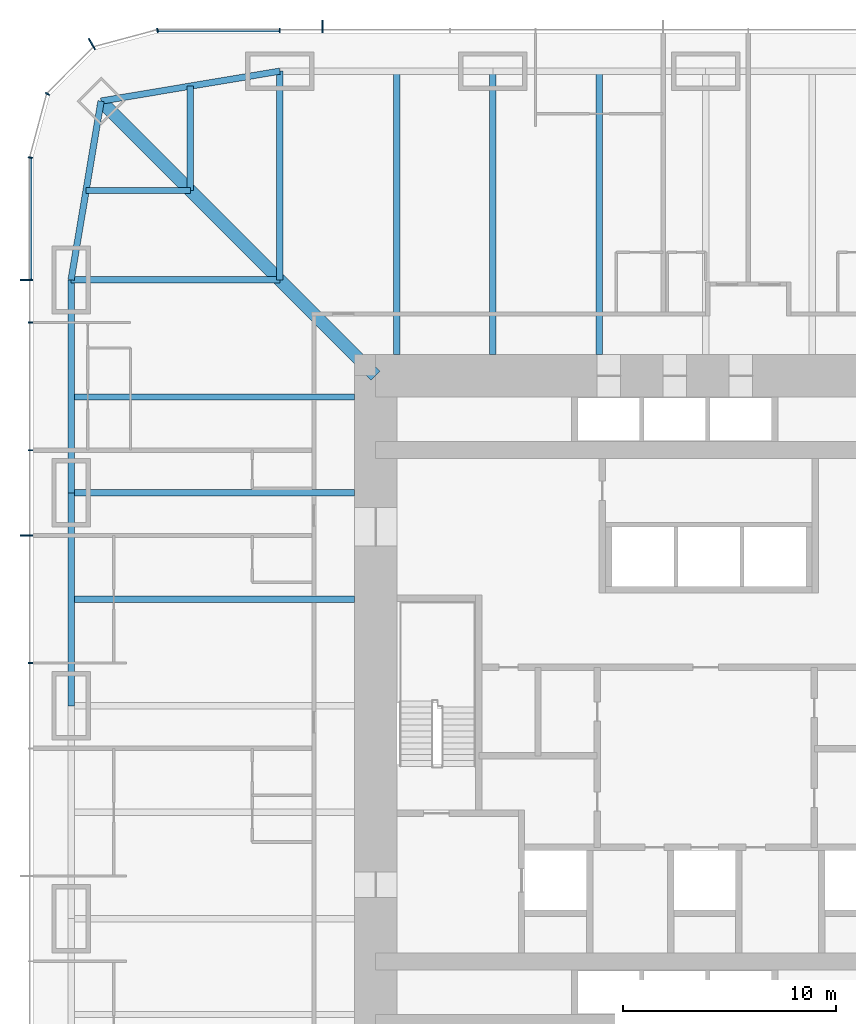
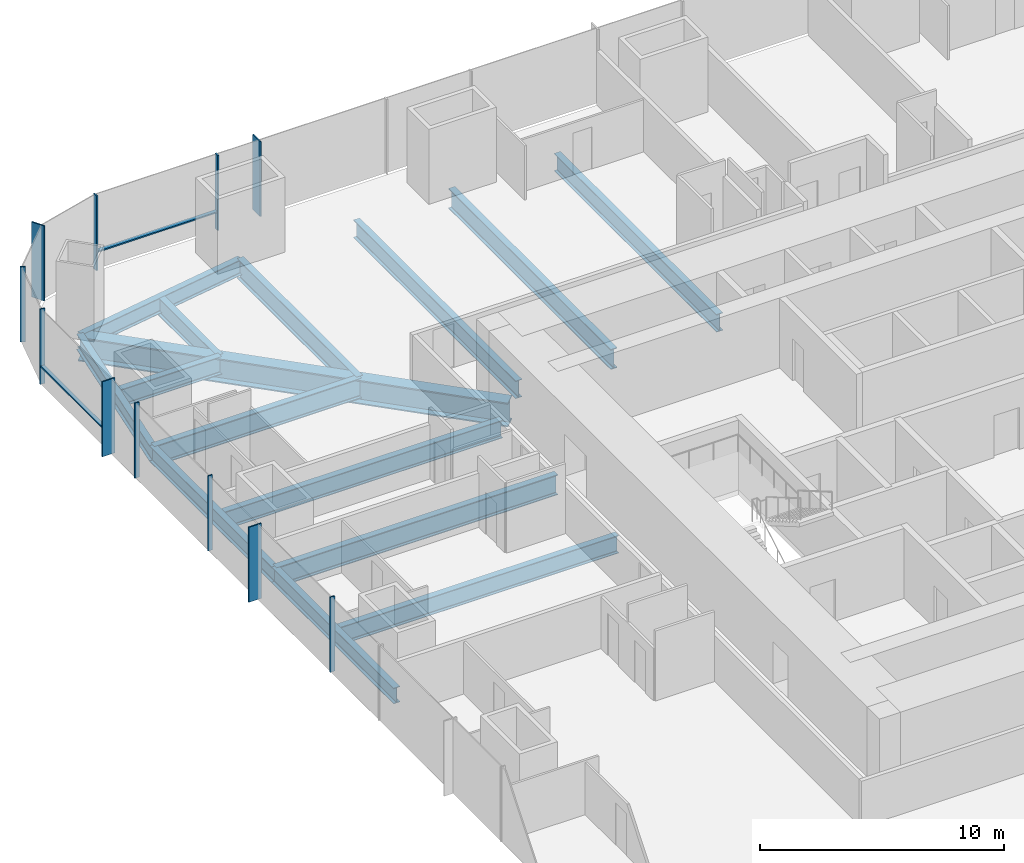
# One storey, part 6 of 17: 15 beams, 13 members, 3 elements without a shape of their own.
"""IFC4 building model written with IfcOpenShell, lengths in metres."""

from ifc_helpers import new_model, si_unit, direction, frame, origin, origin_2d, place, context, subcontext, project, spatial, rectangle, i_section, extrude, material, material_profile, profile_set, type_object, element, aggregate, save


model = new_model("IFC4")

# Units and contexts
model_context = context("Model", 3, precision=1e-05, world=origin(), true_north=direction((0.0, 1.0)))
body_context = subcontext(model_context, "Body", "Model", "MODEL_VIEW")
ifc_project = project(units=[si_unit("LENGTHUNIT", "METRE"), si_unit("AREAUNIT", "SQUARE_METRE"), si_unit("VOLUMEUNIT", "CUBIC_METRE"), si_unit("PLANEANGLEUNIT", "RADIAN"), si_unit("MASSUNIT", "GRAM", prefix="KILO")], contexts=[model_context])

# Site, building, storey
site_placement = place(None, origin())
site = spatial("IfcSite", under=ifc_project, at=site_placement, CompositionType="ELEMENT")
building_placement = place(site_placement, origin())
building = spatial("IfcBuilding", under=site, at=building_placement, Name="Khuree Lantern Residences", CompositionType="ELEMENT")
storey_placement = place(building_placement, frame((0.0, 0.0, 43.5)))
storey = spatial("IfcBuildingStorey", under=building, at=storey_placement, Name="L10", CompositionType="ELEMENT", Elevation=43.5)

# Beams
ifc_material_1 = material(Name="Steel S355", Category="steel")
ifc_material_profile_1 = material_profile(ifc_material_1, i_section(OverallWidth=0.300048828125, OverallDepth=0.889892578125, WebThickness=0.01611328125, FlangeThickness=0.030029296875, FilletRadius=0.030029296875, at=origin_2d()), Name="HE 900 A")
ifc_profile_set_1 = profile_set([ifc_material_profile_1], Name="Steel S355")
beam_type_1 = type_object("IfcBeamType", Name="B-12 SECONDARY BEAM HE 900 A", PredefinedType="BEAM", material=ifc_profile_set_1)
for number, where, z_axis, x_axis, name in (
    (1, (-14.5, 29.800048828125, -0.695068359375), (0.0, -1.0, 0.0), (1.0, 0.0, 0.0), "Secondary beam N1"),
    (2, (-5.0, 29.800048828125, -0.695068359375), (0.0, -1.0, 0.0), (1.0, 0.0, 0.0), "Secondary beam N2"),
    (3, (-29.800048828125, 5.0, -0.695068359375), (1.0, 0.0, 0.0), (0.0, 1.0, 0.0), "Secondary beam W4"),
    (4, (-29.800048828125, 14.5, -0.695068359375), (1.0, 0.0, 0.0), (0.0, 1.0, 0.0), "Secondary beam W5"),
):
    element("IfcBeam", number, at=place(storey_placement, frame(where, z_axis=z_axis, x_axis=x_axis)), inside=storey, type_object=beam_type_1, Name=name, PredefinedType="BEAM", context=body_context, shape_type="SweptSolid", body=[
        extrude(i_section(OverallWidth=0.300048828125, OverallDepth=0.889892578125, WebThickness=0.01611328125, FlangeThickness=0.030029296875, FilletRadius=0.030029296875, at=origin_2d()), origin(), (0.0, 0.0, 1.0), 13.300048828125),
    ])
for number, where, z_axis, x_axis, name in (
    (5, (-29.09716796875, 24.197021484375, -0.695068359375), (1.0, 0.0, 0.0), (0.0, 1.0, 0.0), "Secondary beam W6"),
    (6, (-24.197021484375, 29.09716796875, -0.695068359375), (0.0, -1.0, 0.0), (1.0, 0.0, 0.0), "Secondary beam N6"),
):
    element("IfcBeam", number, at=place(storey_placement, frame(where, z_axis=z_axis, x_axis=x_axis)), inside=storey, type_object=beam_type_1, Name=name, PredefinedType="BEAM", context=body_context, shape_type="SweptSolid", body=[
        extrude(i_section(OverallWidth=0.300048828125, OverallDepth=0.889892578125, WebThickness=0.01611328125, FlangeThickness=0.030029296875, FilletRadius=0.030029296875, at=origin_2d()), origin(), (0.0, 0.0, 1.0), 4.900146484375),
    ])
ifc_material_profile_2 = material_profile(ifc_material_1, i_section(OverallWidth=0.300048828125, OverallDepth=0.7900390625, WebThickness=0.014892578125, FlangeThickness=0.028076171875, FilletRadius=0.030029296875, at=origin_2d()), Name="HE 800 A")
ifc_profile_set_2 = profile_set([ifc_material_profile_2], Name="Steel S355")
beam_type_2 = type_object("IfcBeamType", Name="E-12 SPANDREL BEAM HE 800 A", PredefinedType="SPANDREL", material=ifc_profile_set_2)
for number, where, z_axis, x_axis, name in (
    (7, (-29.800048828125, 0.0, -0.64501953125), (0.0, 1.0, 0.0), (-1.0, 0.0, 0.0), "Spandrel beam W4"),
    (8, (-29.800048828125, 10.0, -0.64501953125), (0.0, 1.0, 0.0), (-1.0, 0.0, 0.0), "Spandrel beam W5"),
):
    element("IfcBeam", number, at=place(storey_placement, frame(where, z_axis=z_axis, x_axis=x_axis)), inside=storey, type_object=beam_type_2, Name=name, PredefinedType="SPANDREL", context=body_context, shape_type="SweptSolid", body=[
        extrude(i_section(OverallWidth=0.300048828125, OverallDepth=0.7900390625, WebThickness=0.014892578125, FlangeThickness=0.028076171875, FilletRadius=0.030029296875, at=origin_2d()), origin(), (0.0, 0.0, 1.0), 10.0),
    ])
for number, where, z_axis, x_axis, name in (
    (9, (-29.800048828125, 20.0, -0.64501953125), (0.165199022349, 0.986260251158, 0.0), (-0.986260251158, 0.165199022349, 0.0), "Spandrel beam W6"),
    (10, (-28.39404296875, 28.39404296875, -0.64501953125), (0.986260251158, 0.165199022349, 0.0), (-0.165199022349, 0.986260251158, 0.0), "Spandrel beam N6"),
):
    element("IfcBeam", number, at=place(storey_placement, frame(where, z_axis=z_axis, x_axis=x_axis)), inside=storey, type_object=beam_type_2, Name=name, PredefinedType="SPANDREL", context=body_context, shape_type="SweptSolid", body=[
        extrude(i_section(OverallWidth=0.300048828125, OverallDepth=0.7900390625, WebThickness=0.014892578125, FlangeThickness=0.028076171875, FilletRadius=0.030029296875, at=origin_2d()), origin(), (0.0, 0.0, 1.0), 8.510986328125),
    ])

# Curtain wall, member
ifc_material_2 = material(Name="Bronze anodised aluminium", Category="aluminium")
curtain_wall_type_1 = type_object("IfcCurtainWallType", Name="CW-T1 TOWER FACE CURTAIN WALL", PredefinedType="USERDEFINED", material=ifc_material_2)
curtain_wall_1_placement = place(storey_placement, origin())
curtain_wall_1 = element("IfcCurtainWall", 11, at=curtain_wall_1_placement, inside=storey, type_object=curtain_wall_type_1, Name="L10 NORTH FACE CURTAIN WALL", ObjectType="Stick-built curtain wall", PredefinedType="USERDEFINED")
ifc_material_profile_3 = material_profile(ifc_material_2, rectangle(XDim=0.06494140625, YDim=0.60009765625, at=origin_2d()), Name="F1 65X600")
ifc_profile_set_3 = profile_set([ifc_material_profile_3], Name="Bronze anodised aluminium")
member_type_1 = type_object("IfcMemberType", Name="F1 BRONZE FIN MULLION TOWER 65X600", PredefinedType="MULLION", material=ifc_profile_set_3)
member_1_placement = place(storey_placement, frame((-18.0, 31.89990234375, 0.0), z_axis=(0.0, 0.0, 1.0), x_axis=(-1.0, 0.0, 0.0)))
member_1 = element("IfcMember", 12, at=member_1_placement, type_object=member_type_1, Name="L10 NORTH FACE FIN MULLION 27", PredefinedType="MULLION", context=body_context, shape_type="SweptSolid", body=[
    extrude(rectangle(XDim=0.06494140625, YDim=0.60009765625, at=origin_2d()), origin(), (0.0, 0.0, 1.0), 3.75),
])

curtain_wall_type_2 = type_object("IfcCurtainWallType", Name="CW-T2 TOWER CORNER CURTAIN WALL", PredefinedType="USERDEFINED", material=ifc_material_2)
curtain_wall_2_placement = place(storey_placement, origin())
curtain_wall_2 = element("IfcCurtainWall", 13, at=curtain_wall_2_placement, inside=storey, type_object=curtain_wall_type_2, Name="L10 NORTH-WEST CORNER CURTAIN WALL", ObjectType="Faceted corner curtain wall", PredefinedType="USERDEFINED")
member_2_placement = place(storey_placement, frame((-28.824951171875, 31.076171875, 0.0), z_axis=(0.0, 0.0, 1.0), x_axis=(-0.86602537092, -0.500000056923, 0.0)))
member_2 = element("IfcMember", 14, at=member_2_placement, type_object=member_type_1, Name="L10 NORTH-WEST CORNER FIN MULLION 30", PredefinedType="MULLION", context=body_context, shape_type="SweptSolid", body=[
    extrude(rectangle(XDim=0.06494140625, YDim=0.60009765625, at=origin_2d()), origin(), (0.0, 0.0, 1.0), 3.75),
])

# Curtain wall, members
curtain_wall_3_placement = place(storey_placement, origin())
curtain_wall_3 = element("IfcCurtainWall", 15, at=curtain_wall_3_placement, inside=storey, type_object=curtain_wall_type_1, Name="L10 WEST FACE CURTAIN WALL", ObjectType="Stick-built curtain wall", PredefinedType="USERDEFINED")
member_3_placement = place(storey_placement, frame((-31.89990234375, 20.0, 0.0), z_axis=(0.0, 0.0, 1.0), x_axis=(0.0, -1.0, 0.0)))
member_3 = element("IfcMember", 16, at=member_3_placement, type_object=member_type_1, Name="L10 WEST FACE FIN MULLION 33", PredefinedType="MULLION", context=body_context, shape_type="SweptSolid", body=[
    extrude(rectangle(XDim=0.06494140625, YDim=0.60009765625, at=origin_2d()), origin(), (0.0, 0.0, 1.0), 3.75),
])
member_4_placement = place(storey_placement, frame((-31.89990234375, 8.0, 0.0), z_axis=(0.0, 0.0, 1.0), x_axis=(0.0, -1.0, 0.0)))
member_4 = element("IfcMember", 17, at=member_4_placement, type_object=member_type_1, Name="L10 WEST FACE FIN MULLION 36", PredefinedType="MULLION", context=body_context, shape_type="SweptSolid", body=[
    extrude(rectangle(XDim=0.06494140625, YDim=0.60009765625, at=origin_2d()), origin(), (0.0, 0.0, 1.0), 3.75),
])

# Beams
ifc_material_profile_4 = material_profile(ifc_material_1, i_section(OverallWidth=0.302001953125, OverallDepth=1.008056640625, WebThickness=0.02099609375, FlangeThickness=0.0400390625, FilletRadius=0.030029296875, at=origin_2d()), Name="HE 1000 M")
ifc_profile_set_4 = profile_set([ifc_material_profile_4], Name="Steel S355")
beam_type_3 = type_object("IfcBeamType", Name="G-12 GIRDER HE 1000 M", PredefinedType="BEAM", material=ifc_profile_set_4)
beam_1_placement = place(storey_placement, frame((-20.0, 29.800048828125, -0.75390625), z_axis=(0.0, -1.0, 0.0), x_axis=(1.0, 0.0, 0.0)))
element("IfcBeam", 18, at=beam_1_placement, inside=storey, type_object=beam_type_3, Name="Girder N1", PredefinedType="BEAM", context=body_context, shape_type="SweptSolid", body=[
    extrude(i_section(OverallWidth=0.302001953125, OverallDepth=1.008056640625, WebThickness=0.02099609375, FlangeThickness=0.0400390625, FilletRadius=0.030029296875, at=origin_2d()), origin(), (0.0, 0.0, 1.0), 9.800048828125),
])
for number, where, z_axis, x_axis, name in (
    (19, (-10.0, 29.800048828125, -0.75390625), (0.0, -1.0, 0.0), (1.0, 0.0, 0.0), "Girder N2"),
    (20, (-29.800048828125, 10.0, -0.75390625), (1.0, 0.0, 0.0), (0.0, 1.0, 0.0), "Girder W4"),
):
    element("IfcBeam", number, at=place(storey_placement, frame(where, z_axis=z_axis, x_axis=x_axis)), inside=storey, type_object=beam_type_3, Name=name, PredefinedType="BEAM", context=body_context, shape_type="SweptSolid", body=[
        extrude(i_section(OverallWidth=0.302001953125, OverallDepth=1.008056640625, WebThickness=0.02099609375, FlangeThickness=0.0400390625, FilletRadius=0.030029296875, at=origin_2d()), origin(), (0.0, 0.0, 1.0), 13.300048828125),
    ])
beam_2_placement = place(storey_placement, frame((-29.800048828125, 20.0, -0.75390625), z_axis=(1.0, 0.0, 0.0), x_axis=(0.0, 1.0, 0.0)))
element("IfcBeam", 21, at=beam_2_placement, inside=storey, type_object=beam_type_3, Name="Girder W5", PredefinedType="BEAM", context=body_context, shape_type="SweptSolid", body=[
    extrude(i_section(OverallWidth=0.302001953125, OverallDepth=1.008056640625, WebThickness=0.02099609375, FlangeThickness=0.0400390625, FilletRadius=0.030029296875, at=origin_2d()), origin(), (0.0, 0.0, 1.0), 9.800048828125),
])
ifc_material_profile_5 = material_profile(ifc_material_1, i_section(OverallWidth=0.60009765625, OverallDepth=1.199951171875, WebThickness=0.030029296875, FlangeThickness=0.06005859375, at=origin_2d()), Name="WELDED I 1200X600X30X60")
ifc_profile_set_5 = profile_set([ifc_material_profile_5], Name="Steel S355")
beam_type_4 = type_object("IfcBeamType", Name="GD-12 CORNER GIRDER WELDED I 1200X600X30X60", PredefinedType="BEAM", material=ifc_profile_set_5)
beam_3_placement = place(storey_placement, frame((-28.39404296875, 28.39404296875, -0.85009765625), z_axis=(0.707106781187, -0.707106781187, 0.0), x_axis=(0.707106781187, 0.707106781187, 0.0)))
element("IfcBeam", 22, at=beam_3_placement, inside=storey, type_object=beam_type_4, Name="Corner girder NW", PredefinedType="BEAM", context=body_context, shape_type="SweptSolid", body=[
    extrude(i_section(OverallWidth=0.60009765625, OverallDepth=1.199951171875, WebThickness=0.030029296875, FlangeThickness=0.06005859375, at=origin_2d()), origin(), (0.0, 0.0, 1.0), 18.23486328125),
])

# Member
ifc_material_profile_6 = material_profile(ifc_material_2, rectangle(XDim=0.06494140625, YDim=0.219970703125, at=origin_2d()), Name="M1 65X220")
ifc_profile_set_6 = profile_set([ifc_material_profile_6], Name="Bronze anodised aluminium")
member_type_2 = type_object("IfcMemberType", Name="M1 BRONZE MULLION TOWER 65X220", PredefinedType="MULLION", material=ifc_profile_set_6)
member_5_placement = place(storey_placement, frame((-20.0, 31.7099609375, 0.0), z_axis=(0.0, 0.0, 1.0), x_axis=(-1.0, 0.0, 0.0)))
member_5 = element("IfcMember", 23, at=member_5_placement, type_object=member_type_2, Name="L10 NORTH FACE MULLION 28", PredefinedType="MULLION", context=body_context, shape_type="SweptSolid", body=[
    extrude(rectangle(XDim=0.06494140625, YDim=0.219970703125, at=origin_2d()), origin(), (0.0, 0.0, 1.0), 3.75),
])

member_6_placement = place(storey_placement, frame((-25.744873046875, 31.711669921875, 0.0), z_axis=(0.0, 0.0, 1.0), x_axis=(-0.991444852794, -0.130526257387, 0.0)))
member_6 = element("IfcMember", 24, at=member_6_placement, type_object=member_type_2, Name="L10 NORTH-WEST CORNER MULLION 29", PredefinedType="MULLION", context=body_context, shape_type="SweptSolid", body=[
    extrude(rectangle(XDim=0.06494140625, YDim=0.219970703125, at=origin_2d()), origin(), (0.0, 0.0, 1.0), 3.75),
])

member_7_placement = place(storey_placement, frame((-30.91162109375, 28.72998046875, 0.0), z_axis=(0.0, 0.0, 1.0), x_axis=(-0.500000056923, -0.86602537092, 0.0)))
member_7 = element("IfcMember", 25, at=member_7_placement, type_object=member_type_2, Name="L10 NORTH-WEST CORNER MULLION 31", PredefinedType="MULLION", context=body_context, shape_type="SweptSolid", body=[
    extrude(rectangle(XDim=0.06494140625, YDim=0.219970703125, at=origin_2d()), origin(), (0.0, 0.0, 1.0), 3.75),
])

aggregate(curtain_wall_2, [member_6, member_2, member_7])

member_8_placement = place(storey_placement, frame((-31.711669921875, 25.744873046875, 0.0), z_axis=(0.0, 0.0, 1.0), x_axis=(-0.130526257387, -0.991444852794, 0.0)))
member_8 = element("IfcMember", 26, at=member_8_placement, type_object=member_type_2, Name="L10 WEST FACE MULLION 32", PredefinedType="MULLION", context=body_context, shape_type="SweptSolid", body=[
    extrude(rectangle(XDim=0.06494140625, YDim=0.219970703125, at=origin_2d()), origin(), (0.0, 0.0, 1.0), 3.75),
])

member_9_placement = place(storey_placement, frame((-31.7099609375, 18.0, 0.0), z_axis=(0.0, 0.0, 1.0), x_axis=(0.0, -1.0, 0.0)))
member_9 = element("IfcMember", 27, at=member_9_placement, type_object=member_type_2, Name="L10 WEST FACE MULLION 34", PredefinedType="MULLION", context=body_context, shape_type="SweptSolid", body=[
    extrude(rectangle(XDim=0.06494140625, YDim=0.219970703125, at=origin_2d()), origin(), (0.0, 0.0, 1.0), 3.75),
])

member_10_placement = place(storey_placement, frame((-31.7099609375, 12.0, 0.0), z_axis=(0.0, 0.0, 1.0), x_axis=(0.0, -1.0, 0.0)))
member_10 = element("IfcMember", 28, at=member_10_placement, type_object=member_type_2, Name="L10 WEST FACE MULLION 35", PredefinedType="MULLION", context=body_context, shape_type="SweptSolid", body=[
    extrude(rectangle(XDim=0.06494140625, YDim=0.219970703125, at=origin_2d()), origin(), (0.0, 0.0, 1.0), 3.75),
])

member_11_placement = place(storey_placement, frame((-31.7099609375, 2.0, 0.0), z_axis=(0.0, 0.0, 1.0), x_axis=(0.0, -1.0, 0.0)))
member_11 = element("IfcMember", 29, at=member_11_placement, type_object=member_type_2, Name="L10 WEST FACE MULLION 37", PredefinedType="MULLION", context=body_context, shape_type="SweptSolid", body=[
    extrude(rectangle(XDim=0.06494140625, YDim=0.219970703125, at=origin_2d()), origin(), (0.0, 0.0, 1.0), 3.75),
])

ifc_material_profile_7 = material_profile(ifc_material_2, rectangle(XDim=0.179931640625, YDim=0.06494140625, at=origin_2d()), Name="T1 180X65")
ifc_profile_set_7 = profile_set([ifc_material_profile_7], Name="Bronze anodised aluminium")
member_type_3 = type_object("IfcMemberType", Name="TRANSOM T1 TOWER 180X65", PredefinedType="USERDEFINED", material=ifc_profile_set_7)
member_12_placement = place(storey_placement, frame((-20.032470703125, 31.719970703125, 0.89990234375), z_axis=(-1.0, 0.0, 0.0), x_axis=(0.0, -1.0, 0.0)))
member_12 = element("IfcMember", 30, at=member_12_placement, type_object=member_type_3, Name="L10 NORTH FACE TRANSOM 28.1", ObjectType="Transom", PredefinedType="USERDEFINED", context=body_context, shape_type="SweptSolid", body=[
    extrude(rectangle(XDim=0.179931640625, YDim=0.06494140625, at=origin_2d()), origin(), (0.0, 0.0, 1.0), 5.6689453125),
])

aggregate(curtain_wall_1, [member_1, member_5, member_12])

member_13_placement = place(storey_placement, frame((-31.719970703125, 25.701416015625, 0.89990234375), z_axis=(0.0, -1.0, 0.0), x_axis=(1.0, 0.0, 0.0)))
member_13 = element("IfcMember", 31, at=member_13_placement, type_object=member_type_3, Name="L10 WEST FACE TRANSOM 32.1", ObjectType="Transom", PredefinedType="USERDEFINED", context=body_context, shape_type="SweptSolid", body=[
    extrude(rectangle(XDim=0.179931640625, YDim=0.06494140625, at=origin_2d()), origin(), (0.0, 0.0, 1.0), 5.6689453125),
])

aggregate(curtain_wall_3, [member_8, member_3, member_9, member_10, member_4, member_11, member_13])

save(model, "model.ifc")
